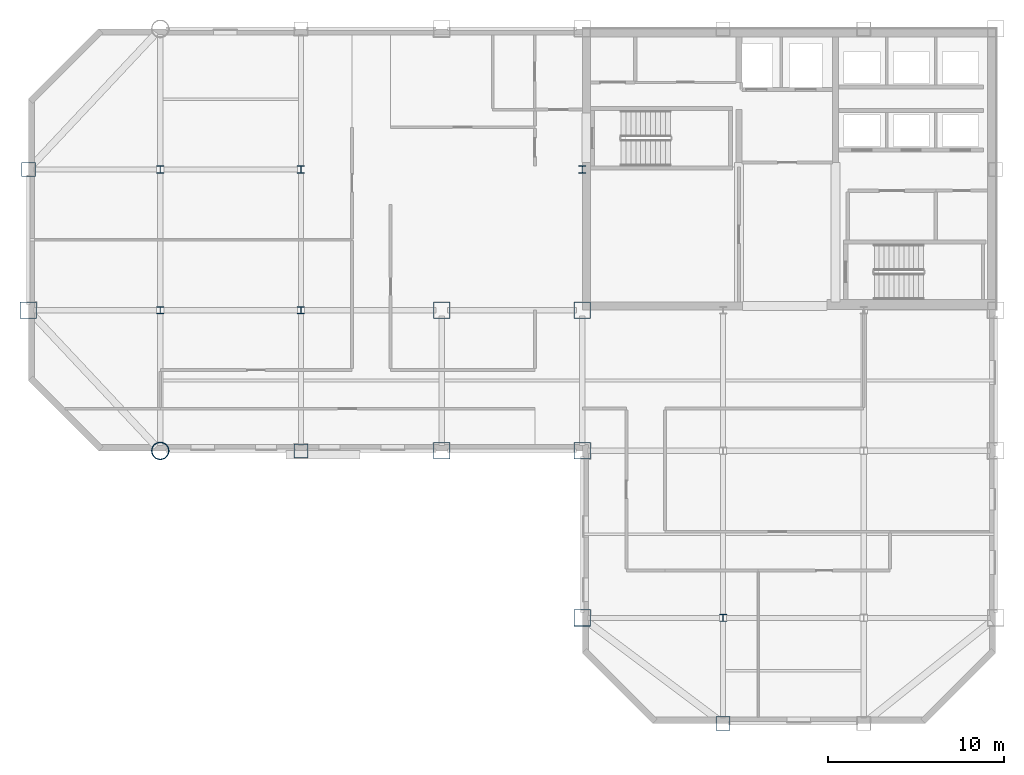
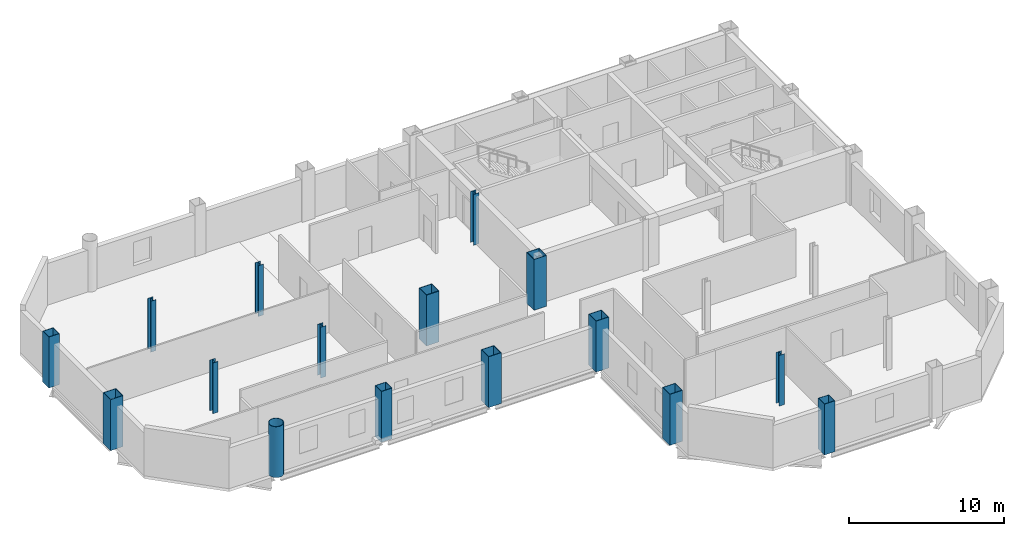
# One storey, part 1 of 10: 16 columns.
"""IFC4 building model written with IfcOpenShell, lengths in metres."""

import ifcopenshell
import ifcopenshell.guid

model = None  # the IFC model being written
_history = None  # IfcOwnerHistory: only IFC2X3 demands one
_inside = {}  # id of a spatial element -> (the spatial element, [elements in it])
_under = {}  # id of a project, library or spatial element -> (it, [spatial elements below it])
_declared = {}  # id of a project -> (the project, [libraries it declares])
_typed = {}  # id of a type object -> (the type object, [elements of that type])
_made_of = {}  # id of a material, layer set ... -> (it, [elements and type objects made of it])


def new_model(schema):
    """Start an empty IFC model of exactly this schema.

    Asked for "IFC4X3", IfcOpenShell would pick the latest addendum, in which some entities
    have other attributes; the version numbers below select the first issue.
    IFC2X3 requires an IfcOwnerHistory on every rooted entity: one is made here for all.
    """
    global model, _history
    if schema == "IFC4X3":
        model = ifcopenshell.file(schema_version=(4, 3, 0, 0))
    else:
        model = ifcopenshell.file(schema=schema)
    _inside.clear()
    _under.clear()
    _declared.clear()
    _typed.clear()
    _made_of.clear()
    _history = None
    if model.schema == "IFC2X3":
        org = make("IfcOrganization", Name="unknown")
        user = make(
            "IfcPersonAndOrganization",
            ThePerson=make("IfcPerson", FamilyName="unknown"),
            TheOrganization=org,
        )
        app = make(
            "IfcApplication",
            ApplicationDeveloper=org,
            Version="unknown",
            ApplicationFullName="unknown",
            ApplicationIdentifier="unknown",
        )
        _history = make(
            "IfcOwnerHistory",
            OwningUser=user,
            OwningApplication=app,
            ChangeAction="ADDED",
            CreationDate=0,
        )
    return model


def make(cls, **values):
    """One entity of the class cls with the attributes given. An attribute that is None is left unset."""
    return model.create_entity(
        cls, **{name: value for name, value in values.items() if value is not None}
    )


def rooted(cls, **values):
    """An entity with a GlobalId (a new one), such as an element, a storey or a relation."""
    return make(cls, GlobalId=ifcopenshell.guid.new(), OwnerHistory=_history, **values)


def si_unit(unit_type, name, prefix=None):
    """IfcSIUnit, for example si_unit("LENGTHUNIT", "METRE", prefix="MILLI")."""
    return make("IfcSIUnit", UnitType=unit_type, Prefix=prefix, Name=name)


def assignment(units):
    """IfcUnitAssignment: the units of a project."""
    return None if units is None else make("IfcUnitAssignment", Units=units)


def point(xyz):
    """IfcCartesianPoint."""
    return None if xyz is None else make("IfcCartesianPoint", Coordinates=xyz)


def direction(xyz):
    """IfcDirection."""
    return None if xyz is None else make("IfcDirection", DirectionRatios=xyz)


def frame(location, z_axis=None, x_axis=None):
    """IfcAxis2Placement3D, a coordinate frame: its origin and axes. An axis left out is left unset."""
    return make(
        "IfcAxis2Placement3D",
        Location=point(location),
        Axis=direction(z_axis),
        RefDirection=direction(x_axis),
    )


def frame_2d(location, x_axis=None):
    """IfcAxis2Placement2D, a coordinate frame in the plane: its origin and x axis."""
    return make(
        "IfcAxis2Placement2D", Location=point(location), RefDirection=direction(x_axis)
    )


def origin():
    """The frame at (0, 0, 0) with its axes left unset."""
    return frame((0.0, 0.0, 0.0))


def origin_2d():
    """The frame at (0, 0) in the plane with its x axis left unset."""
    return frame_2d((0.0, 0.0))


def place(relative_to, where):
    """IfcLocalPlacement: puts the frame where relative to a parent placement (None: the world)."""
    return make(
        "IfcLocalPlacement", PlacementRelTo=relative_to, RelativePlacement=where
    )


def context(
    kind, dimensions, precision=None, world=None, true_north=None, identifier=None
):
    """IfcGeometricRepresentationContext, for example the 3D "Model" context."""
    return make(
        "IfcGeometricRepresentationContext",
        ContextIdentifier=identifier,
        ContextType=kind,
        CoordinateSpaceDimension=dimensions,
        Precision=precision,
        WorldCoordinateSystem=world,
        TrueNorth=true_north,
    )


def subcontext(parent, identifier, kind, view, scale=None):
    """IfcGeometricRepresentationSubContext, for example "Body" below "Model"."""
    return make(
        "IfcGeometricRepresentationSubContext",
        ContextIdentifier=identifier,
        ContextType=kind,
        ParentContext=parent,
        TargetScale=scale,
        TargetView=view,
    )


def project(units=None, contexts=None):
    """IfcProject with its units and contexts."""
    return rooted(
        "IfcProject",
        Name="project",
        RepresentationContexts=contexts,
        UnitsInContext=assignment(units),
    )


def spatial(cls, under=None, at=None, **own):
    """A site, building, storey or space (cls), placed at a placement, below another one or the project."""
    s = rooted(cls, ObjectPlacement=at, **own)
    if under is not None:
        _under.setdefault(under.id(), (under, []))[1].append(s)
    return s


def profile(cls, at=None, kind="AREA", **sizes):
    """A parametric profile (cls). Its sizes go by their IFC names, for example OverallWidth=200.0."""
    return make(cls, ProfileType=kind, Position=at, **sizes)


def hollow_rectangle(**sizes):
    """IfcRectangleHollowProfileDef."""
    return profile("IfcRectangleHollowProfileDef", **sizes)


def hollow_circle(**sizes):
    """IfcCircleHollowProfileDef."""
    return profile("IfcCircleHollowProfileDef", **sizes)


def i_section(**sizes):
    """IfcIShapeProfileDef."""
    return profile("IfcIShapeProfileDef", **sizes)


def extrude(swept, where, along, depth):
    """IfcExtrudedAreaSolid: the profile swept, set in the frame where, extruded along a direction by depth."""
    return make(
        "IfcExtrudedAreaSolid",
        SweptArea=swept,
        Position=where,
        ExtrudedDirection=direction(along),
        Depth=depth,
    )


def shape(context_of_items, identifier, shape_type, items):
    """IfcShapeRepresentation: the items that make up one representation, for example the "Body"."""
    return make(
        "IfcShapeRepresentation",
        ContextOfItems=context_of_items,
        RepresentationIdentifier=identifier,
        RepresentationType=shape_type,
        Items=items,
    )


def material(Name=None, Category=None):
    """IfcMaterial."""
    return make("IfcMaterial", Name=Name, Category=Category)


def material_profile(
    of_material, cross_section, Name=None, Category=None, Priority=None
):
    """IfcMaterialProfile: a cross section and its material."""
    return make(
        "IfcMaterialProfile",
        Name=Name,
        Material=of_material,
        Profile=cross_section,
        Priority=Priority,
        Category=Category,
    )


def profile_set(profiles, Name=None, composite=None):
    """IfcMaterialProfileSet."""
    return make(
        "IfcMaterialProfileSet",
        Name=Name,
        MaterialProfiles=profiles,
        CompositeProfile=composite,
    )


def made_of(thing, what):
    """Note that an element or type object is made of a material, layer set ...; save() writes the relation."""
    if what is not None:
        _made_of.setdefault(what.id(), (what, []))[1].append(thing)
    return thing


def type_object(cls, material=None, **own):
    """A type object (cls), such as IfcWallType, which elements share."""
    return made_of(rooted(cls, **own), material)


def element(
    cls,
    number,
    at=None,
    inside=None,
    cuts=None,
    type_object=None,
    material=None,
    context=None,
    identifier="Body",
    shape_type=None,
    held_by="IfcProductDefinitionShape",
    body=None,
    shapes=None,
    **own,
):
    """One element of the class cls, such as IfcWall. Its Tag is "e" and its number.

    at: its placement. inside: the storey or other place that contains it. cuts: it is an
    opening in that element (IfcRelVoidsElement). A single representation is given by context,
    identifier, shape_type and body (its items); several are given by shapes. held_by: the class
    of the entity that holds the representations. save() writes the other relations.
    """
    e = rooted(cls, Tag="e%d" % number, ObjectPlacement=at, **own)
    if body is not None:
        shapes = [shape(context, identifier, shape_type, body)]
    if shapes is not None:
        e.Representation = make(held_by, Representations=shapes)
    if inside is not None:
        _inside.setdefault(inside.id(), (inside, []))[1].append(e)
    if cuts is not None:
        rooted(
            "IfcRelVoidsElement", RelatingBuildingElement=cuts, RelatedOpeningElement=e
        )
    if type_object is not None:
        _typed.setdefault(type_object.id(), (type_object, []))[1].append(e)
    return made_of(e, material)


def aggregate(whole, parts):
    """IfcRelAggregates: a whole, such as a stair, and the parts it consists of."""
    return rooted("IfcRelAggregates", RelatingObject=whole, RelatedObjects=parts)


def save(model, path):
    """Write the relations noted so far, then the file.

    IfcRelAggregates (storeys below a building ...), IfcRelContainedInSpatialStructure (elements
    in a storey), IfcRelDefinesByType, IfcRelAssociatesMaterial and IfcRelDeclares: one each for
    every whole, place, type object, material and project.
    """
    for whole, parts in _under.values():
        aggregate(whole, parts)
    for where, things in _inside.values():
        rooted(
            "IfcRelContainedInSpatialStructure",
            RelatedElements=things,
            RelatingStructure=where,
        )
    for kind, things in _typed.values():
        rooted("IfcRelDefinesByType", RelatedObjects=things, RelatingType=kind)
    for what, things in _made_of.values():
        rooted("IfcRelAssociatesMaterial", RelatedObjects=things, RelatingMaterial=what)
    for by, libraries in _declared.values():
        rooted("IfcRelDeclares", RelatingContext=by, RelatedDefinitions=libraries)
    model.write(path)


model = new_model("IFC4")

# Units and contexts
model_context = context("Model", 3, precision=1e-05, world=origin(), true_north=direction((0.0, 1.0)))
body_context = subcontext(model_context, "Body", "Model", "MODEL_VIEW")
ifc_project = project(units=[si_unit("LENGTHUNIT", "METRE"), si_unit("AREAUNIT", "SQUARE_METRE"), si_unit("VOLUMEUNIT", "CUBIC_METRE"), si_unit("PLANEANGLEUNIT", "RADIAN"), si_unit("MASSUNIT", "GRAM", prefix="KILO")], contexts=[model_context])

# Site, building, storey
site_placement = place(None, origin())
site = spatial("IfcSite", under=ifc_project, at=site_placement, CompositionType="ELEMENT")
building_placement = place(site_placement, origin())
building = spatial("IfcBuilding", under=site, at=building_placement, Name="Qianrong Seaharbour Tower", CompositionType="ELEMENT")
storey_placement = place(building_placement, frame((0.0, 0.0, 229.800048828125)))
storey = spatial("IfcBuildingStorey", under=building, at=storey_placement, Name="L55", CompositionType="ELEMENT", Elevation=229.800048828125)

# Columns
ifc_material = material(Name="Structural steel SN490B", Category="steel")
ifc_material_profile_1 = material_profile(ifc_material, hollow_rectangle(XDim=0.949951171875, YDim=0.949951171875, WallThickness=0.035888671875, at=origin_2d()), Name="BOX950x950x36")
ifc_profile_set_1 = profile_set([ifc_material_profile_1], Name="Structural steel SN490B")
column_type_1 = type_object("IfcColumnType", Name="COL-CFT-950", PredefinedType="COLUMN", material=ifc_profile_set_1)
for number, where, z_axis, x_axis, name in (
    (1, (9.0, 36.0, 0.0), (0.0, 0.0, 1.0), (1.0, 0.0, 0.0), "L55 Column MC-4 at G2/GF"),
    (2, (32.5, 28.0, 0.0), (0.0, 0.0, 1.0), (1.0, 0.0, 0.0), "L55 Column MC-4 at G5/GE"),
    (3, (32.5, 36.0, 0.0), (0.0, 0.0, 1.0), (1.0, 0.0, 0.0), "L55 Column MC-4 at G5/GF"),
    (4, (40.5, 18.5, 0.0), (0.0, 0.0, 1.0), (1.0, 0.0, 0.0), "L55 Column MC-4 at G6/GD"),
    (5, (40.5, 28.0, 0.0), (0.0, 0.0, 1.0), (1.0, 0.0, 0.0), "L55 Column MC-4 at G6/GE"),
    (6, (40.5, 36.0, 0.0), (0.0, 0.0, 1.0), (1.0, 0.0, 0.0), "L55 Column MC-4 at G6/GF"),
):
    element("IfcColumn", number, at=place(storey_placement, frame(where, z_axis=z_axis, x_axis=x_axis)), inside=storey, type_object=column_type_1, Name=name, PredefinedType="COLUMN", context=body_context, shape_type="SweptSolid", body=[
        extrude(hollow_rectangle(XDim=0.949951171875, YDim=0.949951171875, WallThickness=0.035888671875, at=origin_2d()), origin(), (0.0, 0.0, 1.0), 4.0),
    ])
ifc_material_profile_2 = material_profile(ifc_material, hollow_circle(Radius=0.5, WallThickness=0.035888671875, at=origin_2d()), Name="CHS1000x36")
ifc_profile_set_2 = profile_set([ifc_material_profile_2], Name="Structural steel SN490B")
column_type_2 = type_object("IfcColumnType", Name="COL-CHS-1000", PredefinedType="COLUMN", material=ifc_profile_set_2)
column_placement = place(storey_placement, frame((16.5, 28.0, 0.0), z_axis=(0.0, 0.0, 1.0), x_axis=(1.0, 0.0, 0.0)))
element("IfcColumn", 7, at=column_placement, inside=storey, type_object=column_type_2, Name="L55 Column CC-2 at G3/GE", PredefinedType="COLUMN", context=body_context, shape_type="SweptSolid", body=[
    extrude(hollow_circle(Radius=0.5, WallThickness=0.035888671875, at=origin_2d()), origin(), (0.0, 0.0, 1.0), 4.0),
])
ifc_material_profile_3 = material_profile(ifc_material, i_section(OverallWidth=0.39990234375, OverallDepth=0.39990234375, WebThickness=0.012939453125, FlangeThickness=0.02099609375, FilletRadius=0.02197265625, at=origin_2d()), Name="H400x400x13x21")
ifc_profile_set_3 = profile_set([ifc_material_profile_3], Name="Structural steel SN490B")
column_type_3 = type_object("IfcColumnType", Name="COL-INT-H400", PredefinedType="COLUMN", material=ifc_profile_set_3)
for number, where, z_axis, x_axis, name in (
    (8, (16.5, 36.0, 0.0), (0.0, 0.0, 1.0), (1.0, 0.0, 0.0), "L55 Column IC-3 at G3/GF"),
    (9, (16.5, 44.0, 0.0), (0.0, 0.0, 1.0), (1.0, 0.0, 0.0), "L55 Column IC-3 at G3/GG"),
    (10, (24.5, 36.0, 0.0), (0.0, 0.0, 1.0), (1.0, 0.0, 0.0), "L55 Column IC-3 at G4/GF"),
    (11, (24.5, 44.0, 0.0), (0.0, 0.0, 1.0), (1.0, 0.0, 0.0), "L55 Column IC-3 at G4/GG"),
    (12, (40.5, 44.0, 0.0), (0.0, 0.0, 1.0), (1.0, 0.0, 0.0), "L55 Column IC-3 at G6/GG"),
    (13, (48.5, 18.5, 0.0), (0.0, 0.0, 1.0), (1.0, 0.0, 0.0), "L55 Column IC-3 at G7/GD"),
):
    element("IfcColumn", number, at=place(storey_placement, frame(where, z_axis=z_axis, x_axis=x_axis)), inside=storey, type_object=column_type_3, Name=name, PredefinedType="COLUMN", context=body_context, shape_type="SweptSolid", body=[
        extrude(i_section(OverallWidth=0.39990234375, OverallDepth=0.39990234375, WebThickness=0.012939453125, FlangeThickness=0.02099609375, FilletRadius=0.02197265625, at=origin_2d()), origin(), (0.0, 0.0, 1.0), 4.0),
    ])
ifc_material_profile_4 = material_profile(ifc_material, hollow_rectangle(XDim=0.800048828125, YDim=0.800048828125, WallThickness=0.031982421875, at=origin_2d()), Name="BOX800x800x32")
ifc_profile_set_4 = profile_set([ifc_material_profile_4], Name="Structural steel SN490B")
column_type_4 = type_object("IfcColumnType", Name="COL-PER-800", PredefinedType="COLUMN", material=ifc_profile_set_4)
for number, where, z_axis, x_axis, name in (
    (14, (9.0, 44.0, 0.0), (0.0, 0.0, 1.0), (1.0, 0.0, 0.0), "L55 Column PC-3 at G2/GG"),
    (15, (24.5, 28.0, 0.0), (0.0, 0.0, 1.0), (1.0, 0.0, 0.0), "L55 Column PC-3 at G4/GE"),
    (16, (48.5, 12.5, 0.0), (0.0, 0.0, 1.0), (1.0, 0.0, 0.0), "L55 Column PC-3 at G7/GC"),
):
    element("IfcColumn", number, at=place(storey_placement, frame(where, z_axis=z_axis, x_axis=x_axis)), inside=storey, type_object=column_type_4, Name=name, PredefinedType="COLUMN", context=body_context, shape_type="SweptSolid", body=[
        extrude(hollow_rectangle(XDim=0.800048828125, YDim=0.800048828125, WallThickness=0.031982421875, at=origin_2d()), origin(), (0.0, 0.0, 1.0), 4.0),
    ])

save(model, "model.ifc")
